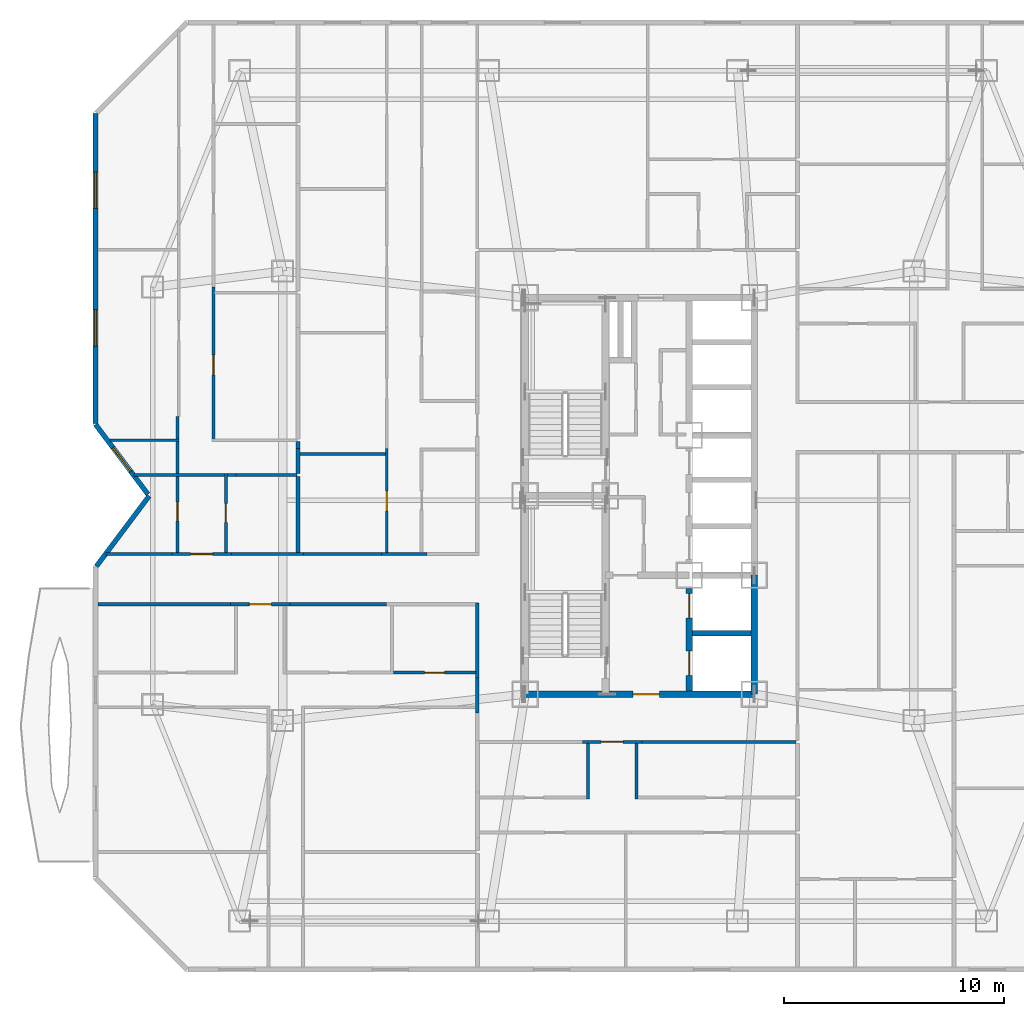
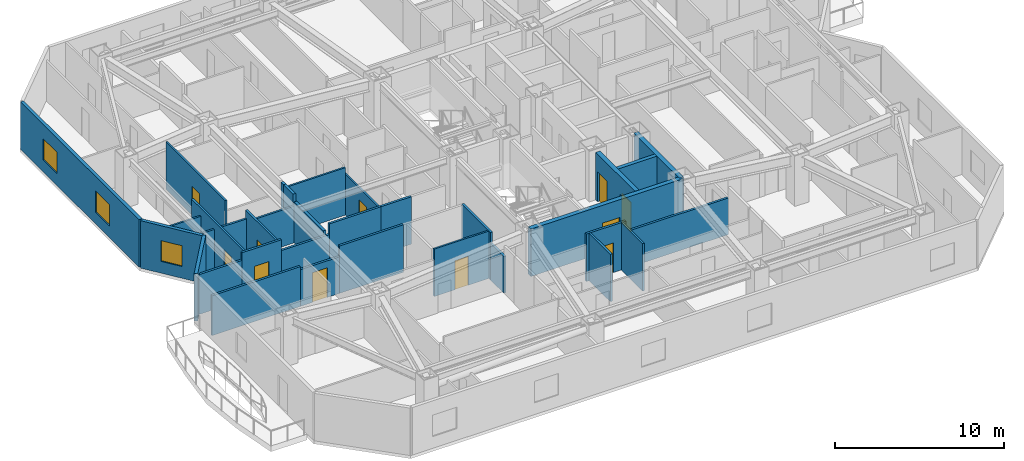
# One storey, part 8 of 15: 33 walls, 11 doors, 3 windows, 14 openings.
"""IFC4 building model written with IfcOpenShell, lengths in metres."""

from ifc_helpers import new_model, si_unit, direction, frame, frame_2d, origin, place, context, subcontext, project, spatial, rectangle, extrude, material, layer, layer_set, type_object, element, fill, save


model = new_model("IFC4")

# Units and contexts
model_context = context("Model", 3, precision=1e-05, world=origin(), true_north=direction((0.0, 1.0)))
body_context = subcontext(model_context, "Body", "Model", "MODEL_VIEW")
ifc_project = project(units=[si_unit("LENGTHUNIT", "METRE"), si_unit("AREAUNIT", "SQUARE_METRE"), si_unit("VOLUMEUNIT", "CUBIC_METRE"), si_unit("PLANEANGLEUNIT", "RADIAN"), si_unit("MASSUNIT", "GRAM", prefix="KILO")], contexts=[model_context])

# Site, building, storey
site_placement = place(None, origin())
site = spatial("IfcSite", under=ifc_project, at=site_placement, CompositionType="ELEMENT")
building_placement = place(site_placement, origin())
building = spatial("IfcBuilding", under=site, at=building_placement, Name="Khamvora Tower", CompositionType="ELEMENT")
storey_placement = place(building_placement, frame((0.0, 0.0, 112.85009765625)))
storey = spatial("IfcBuildingStorey", under=building, at=storey_placement, Name="L28", CompositionType="ELEMENT", Elevation=112.85009765625)

# Wall, opening, door
ifc_material_1 = material(Name="Concrete C50/60", Category="concrete")
ifc_layer_1 = layer(ifc_material_1, 0.300048828125)
ifc_layer_set_1 = layer_set([ifc_layer_1], Name="Concrete C50/60")
wall_type_1 = type_object("IfcWallType", Name="WAL-CORE-300", PredefinedType="SHEAR", material=ifc_layer_set_1)
wall_1_placement = place(storey_placement, frame((29.0, 19.0, 0.0), z_axis=(0.0, 0.0, 1.0), x_axis=(1.0, 0.0, 0.0)))
wall_1 = element("IfcWall", 1, at=wall_1_placement, inside=storey, type_object=wall_type_1, Name="L28 central core south wall", PredefinedType="SHEAR", context=body_context, shape_type="SweptSolid", body=[
    extrude(rectangle(XDim=10.39990234375, YDim=0.300048828125, at=frame_2d((5.199951171875, 0.0))), origin(), (0.0, 0.0, 1.0), 3.429931640625),
])
opening_1_placement = place(wall_1_placement, frame((4.89990234375, 0.0, 0.0)))
opening_1 = element("IfcOpeningElement", 2, at=opening_1_placement, cuts=wall_1, Name="Opening D-CR1", PredefinedType="OPENING", context=body_context, shape_type="SweptSolid", body=[
    extrude(rectangle(XDim=1.199951171875, YDim=2.14990234375, at=frame_2d((0.60009765625, 1.074951171875))), frame((0.0, 0.159912109375, 0.0), z_axis=(0.0, -1.0, 0.0), x_axis=(1.0, 0.0, 0.0)), (0.0, 0.0, 1.0), 0.320068359375),
])
ifc_material_2 = material(Name="Powder-Coated Steel and Hardwood Leaf", Category="steel")
door_type_1 = type_object("IfcDoorType", Name="DOR-CORR-1200", OperationType="NOTDEFINED", PredefinedType="DOOR", material=ifc_material_2)
door_1_placement = place(opening_1_placement, origin())
door_1 = element("IfcDoor", 3, at=door_1_placement, inside=storey, type_object=door_type_1, Name="L28 south core lobby to corridor fire door", OperationType="SINGLE_SWING_RIGHT", OverallHeight=2.14990234375, OverallWidth=1.199951171875, PredefinedType="DOOR", context=body_context, shape_type="SweptSolid", body=[
    extrude(rectangle(XDim=1.199951171875, YDim=2.14990234375, at=frame_2d((0.60009765625, 1.074951171875))), frame((0.0, 0.02490234375, 0.0), z_axis=(0.0, -1.0, 0.0), x_axis=(1.0, 0.0, 0.0)), (0.0, 0.0, 1.0), 0.050048828125),
])
fill(opening_1, door_1)

# Wall
wall_2_placement = place(storey_placement, frame((39.39990234375, 19.0, 0.0), z_axis=(0.0, 0.0, 1.0), x_axis=(0.0, 1.0, 0.0)))
element("IfcWall", 4, at=wall_2_placement, inside=storey, type_object=wall_type_1, Name="L28 central core east south wall", PredefinedType="SHEAR", context=body_context, shape_type="SweptSolid", body=[
    extrude(rectangle(XDim=5.39990234375, YDim=0.300048828125, at=frame_2d((2.699951171875, 0.0))), origin(), (0.0, 0.0, 1.0), 3.429931640625),
])

# Wall, openings, doors
wall_3_placement = place(storey_placement, frame((36.449951171875, 19.154052734375, 0.0), z_axis=(0.0, 0.0, 1.0), x_axis=(0.0, 1.0, 0.0)))
wall_3 = element("IfcWall", 5, at=wall_3_placement, inside=storey, type_object=wall_type_1, Name="L28 central core lift bank south wall", PredefinedType="SHEAR", context=body_context, shape_type="SweptSolid", body=[
    extrude(rectangle(XDim=4.64599609375, YDim=0.300048828125, at=frame_2d((2.322998046875, 0.0))), origin(), (0.0, 0.0, 1.0), 3.429931640625),
])
opening_2_placement = place(wall_3_placement, frame((0.696044921875, 0.0, 0.0)))
opening_2 = element("IfcOpeningElement", 6, at=opening_2_placement, cuts=wall_3, Name="Opening LD-FFL", PredefinedType="OPENING", context=body_context, shape_type="SweptSolid", body=[
    extrude(rectangle(XDim=1.10009765625, YDim=2.14990234375, at=frame_2d((0.550048828125, 1.074951171875))), frame((0.0, 0.159912109375, 0.0), z_axis=(0.0, -1.0, 0.0), x_axis=(1.0, 0.0, 0.0)), (0.0, 0.0, 1.0), 0.320068359375),
])
opening_3_placement = place(wall_3_placement, frame((3.31591796875, 0.0, 0.0)))
opening_3 = element("IfcOpeningElement", 7, at=opening_3_placement, cuts=wall_3, Name="Opening LD-FFL", PredefinedType="OPENING", context=body_context, shape_type="SweptSolid", body=[
    extrude(rectangle(XDim=1.10009765625, YDim=2.14990234375, at=frame_2d((0.550048828125, 1.074951171875))), frame((0.0, 0.159912109375, 0.0), z_axis=(0.0, -1.0, 0.0), x_axis=(1.0, 0.0, 0.0)), (0.0, 0.0, 1.0), 0.320068359375),
])
door_type_2 = type_object("IfcDoorType", Name="DOR-LIFT-1100", OperationType="SLIDING_TO_LEFT", PredefinedType="DOOR", material=ifc_material_2)
door_2_placement = place(opening_2_placement, origin())
door_2 = element("IfcDoor", 8, at=door_2_placement, inside=storey, type_object=door_type_2, Name="L28 lift landing sliding door FFL-01", OperationType="SLIDING_TO_LEFT", OverallHeight=2.14990234375, OverallWidth=1.10009765625, PredefinedType="DOOR", context=body_context, shape_type="SweptSolid", body=[
    extrude(rectangle(XDim=1.10009765625, YDim=2.14990234375, at=frame_2d((0.550048828125, 1.074951171875))), frame((0.0, 0.02490234375, 0.0), z_axis=(0.0, -1.0, 0.0), x_axis=(1.0, 0.0, 0.0)), (0.0, 0.0, 1.0), 0.050048828125),
])
fill(opening_2, door_2)
door_3_placement = place(opening_3_placement, origin())
door_3 = element("IfcDoor", 9, at=door_3_placement, inside=storey, type_object=door_type_2, Name="L28 lift landing sliding door FFL-02", OperationType="SLIDING_TO_LEFT", OverallHeight=2.14990234375, OverallWidth=1.10009765625, PredefinedType="DOOR", context=body_context, shape_type="SweptSolid", body=[
    extrude(rectangle(XDim=1.10009765625, YDim=2.14990234375, at=frame_2d((0.550048828125, 1.074951171875))), frame((0.0, 0.02490234375, 0.0), z_axis=(0.0, -1.0, 0.0), x_axis=(1.0, 0.0, 0.0)), (0.0, 0.0, 1.0), 0.050048828125),
])
fill(opening_3, door_3)

# Walls
ifc_material_3 = material(Name="Fire-Rated Drywall and Steel Stud", Category="steel")
ifc_layer_2 = layer(ifc_material_3, 0.14990234375)
ifc_layer_set_2 = layer_set([ifc_layer_2], Name="Fire-Rated Drywall and Steel Stud")
wall_type_2 = type_object("IfcWallType", Name="WAL-CORR-150", PredefinedType="STANDARD", material=ifc_layer_set_2)
wall_4_placement = place(storey_placement, frame((26.8349609375, 19.73388671875, 0.0), z_axis=(0.0, 0.0, 1.0), x_axis=(0.0, 1.0, 0.0)))
element("IfcWall", 10, at=wall_4_placement, inside=storey, type_object=wall_type_2, Name="L28 interior partition wall 009", PredefinedType="STANDARD", context=body_context, shape_type="SweptSolid", body=[
    extrude(rectangle(XDim=3.416015625, YDim=0.14990234375, at=frame_2d((1.7080078125, 0.0))), origin(), (0.0, 0.0, 1.0), 3.429931640625),
])
wall_5_placement = place(storey_placement, frame((26.8349609375, 18.154052734375, 0.0), z_axis=(0.0, 0.0, 1.0), x_axis=(0.0, 1.0, 0.0)))
element("IfcWall", 11, at=wall_5_placement, inside=storey, type_object=wall_type_2, Name="L28 interior partition wall 011", PredefinedType="STANDARD", context=body_context, shape_type="SweptSolid", body=[
    extrude(rectangle(XDim=1.579833984375, YDim=0.14990234375, at=frame_2d((0.7900390625, 0.0))), origin(), (0.0, 0.0, 1.0), 2.64697265625),
])

# Wall, opening, door
wall_6_placement = place(storey_placement, frame((18.339111328125, 23.0849609375, 0.0), z_axis=(0.0, 0.0, 1.0), x_axis=(-1.0, 0.0, 0.0)))
wall_6 = element("IfcWall", 12, at=wall_6_placement, inside=storey, type_object=wall_type_2, Name="L28 interior partition wall 012", PredefinedType="STANDARD", context=body_context, shape_type="SweptSolid", body=[
    extrude(rectangle(XDim=2.697998046875, YDim=0.14990234375, at=frame_2d((1.34912109375, 0.0))), origin(), (0.0, 0.0, 1.0), 2.64697265625),
])
opening_4_placement = place(wall_6_placement, frame((0.84912109375, 0.0, 0.0)))
opening_4 = element("IfcOpeningElement", 13, at=opening_4_placement, cuts=wall_6, Name="Opening D-U1", PredefinedType="OPENING", context=body_context, shape_type="SweptSolid", body=[
    extrude(rectangle(XDim=1.0, YDim=2.14990234375, at=frame_2d((0.5, 1.074951171875))), frame((0.0, 0.0849609375, 0.0), z_axis=(0.0, -1.0, 0.0), x_axis=(1.0, 0.0, 0.0)), (0.0, 0.0, 1.0), 0.169921875),
])
door_type_3 = type_object("IfcDoorType", Name="DOR-UNIT-1000", OperationType="NOTDEFINED", PredefinedType="DOOR", material=ifc_material_2)
door_4_placement = place(opening_4_placement, origin())
door_4 = element("IfcDoor", 14, at=door_4_placement, inside=storey, type_object=door_type_3, Name="L28 interior door COR-28WAH", OperationType="SINGLE_SWING_RIGHT", OverallHeight=2.14990234375, OverallWidth=1.0, PredefinedType="DOOR", context=body_context, shape_type="SweptSolid", body=[
    extrude(rectangle(XDim=1.0, YDim=2.14990234375, at=frame_2d((0.5, 1.074951171875))), frame((0.0, 0.02490234375, 0.0), z_axis=(0.0, -1.0, 0.0), x_axis=(1.0, 0.0, 0.0)), (0.0, 0.0, 1.0), 0.050048828125),
])
fill(opening_4, door_4)

# Walls
wall_7_placement = place(storey_placement, frame((22.7060546875, 23.0849609375, 0.0), z_axis=(0.0, 0.0, 1.0), x_axis=(-1.0, 0.0, 0.0)))
element("IfcWall", 15, at=wall_7_placement, inside=storey, type_object=wall_type_2, Name="L28 interior partition wall 013", PredefinedType="STANDARD", context=body_context, shape_type="SweptSolid", body=[
    extrude(rectangle(XDim=4.366943359375, YDim=0.14990234375, at=frame_2d((2.18359375, 0.0))), origin(), (0.0, 0.0, 1.0), 3.429931640625),
])
wall_8_placement = place(storey_placement, frame((15.64111328125, 23.0849609375, 0.0), z_axis=(0.0, 0.0, 1.0), x_axis=(-1.0, 0.0, 0.0)))
element("IfcWall", 16, at=wall_8_placement, inside=storey, type_object=wall_type_2, Name="L28 interior partition wall 014", PredefinedType="STANDARD", context=body_context, shape_type="SweptSolid", body=[
    extrude(rectangle(XDim=6.029052734375, YDim=0.14990234375, at=frame_2d((3.0146484375, 0.0))), origin(), (0.0, 0.0, 1.0), 2.8759765625),
])

# Wall, opening, door
wall_9_placement = place(storey_placement, frame((12.97607421875, 25.364990234375, 0.0), z_axis=(0.0, 0.0, 1.0), x_axis=(1.0, 0.0, 0.0)))
wall_9 = element("IfcWall", 17, at=wall_9_placement, inside=storey, type_object=wall_type_2, Name="L28 interior partition wall 016", PredefinedType="STANDARD", context=body_context, shape_type="SweptSolid", body=[
    extrude(rectangle(XDim=2.697998046875, YDim=0.14990234375, at=frame_2d((1.34912109375, 0.0))), origin(), (0.0, 0.0, 1.0), 3.429931640625),
])
opening_5_placement = place(wall_9_placement, frame((0.84912109375, 0.0, 0.0)))
opening_5 = element("IfcOpeningElement", 18, at=opening_5_placement, cuts=wall_9, Name="Opening D-U1", PredefinedType="OPENING", context=body_context, shape_type="SweptSolid", body=[
    extrude(rectangle(XDim=1.0, YDim=2.14990234375, at=frame_2d((0.5, 1.074951171875))), frame((0.0, 0.0849609375, 0.0), z_axis=(0.0, -1.0, 0.0), x_axis=(1.0, 0.0, 0.0)), (0.0, 0.0, 1.0), 0.169921875),
])
door_5_placement = place(opening_5_placement, origin())
door_5 = element("IfcDoor", 19, at=door_5_placement, inside=storey, type_object=door_type_3, Name="L28 interior door COR-28WBH", OperationType="SINGLE_SWING_LEFT", OverallHeight=2.14990234375, OverallWidth=1.0, PredefinedType="DOOR", context=body_context, shape_type="SweptSolid", body=[
    extrude(rectangle(XDim=1.0, YDim=2.14990234375, at=frame_2d((0.5, 1.074951171875))), frame((0.0, 0.02490234375, 0.0), z_axis=(0.0, -1.0, 0.0), x_axis=(1.0, 0.0, 0.0)), (0.0, 0.0, 1.0), 0.050048828125),
])
fill(opening_5, door_5)

# Walls
wall_10_placement = place(storey_placement, frame((9.97412109375, 25.364990234375, 0.0), z_axis=(0.0, 0.0, 1.0), x_axis=(1.0, 0.0, 0.0)))
element("IfcWall", 20, at=wall_10_placement, inside=storey, type_object=wall_type_2, Name="L28 interior partition wall 017", PredefinedType="STANDARD", context=body_context, shape_type="SweptSolid", body=[
    extrude(rectangle(XDim=3.001953125, YDim=0.14990234375, at=frame_2d((1.5009765625, 0.0))), origin(), (0.0, 0.0, 1.0), 2.8759765625),
])
wall_11_placement = place(storey_placement, frame((15.674072265625, 25.364990234375, 0.0), z_axis=(0.0, 0.0, 1.0), x_axis=(1.0, 0.0, 0.0)))
element("IfcWall", 21, at=wall_11_placement, inside=storey, type_object=wall_type_2, Name="L28 interior partition wall 018", PredefinedType="STANDARD", context=body_context, shape_type="SweptSolid", body=[
    extrude(rectangle(XDim=3.280029296875, YDim=0.14990234375, at=frame_2d((1.64013671875, 0.0))), origin(), (0.0, 0.0, 1.0), 2.64697265625),
])
wall_12_placement = place(storey_placement, frame((22.47607421875, 25.364990234375, 0.0), z_axis=(0.0, 0.0, 1.0), x_axis=(1.0, 0.0, 0.0)))
element("IfcWall", 22, at=wall_12_placement, inside=storey, type_object=wall_type_2, Name="L28 interior partition wall 020", PredefinedType="STANDARD", context=body_context, shape_type="SweptSolid", body=[
    extrude(rectangle(XDim=2.077880859375, YDim=0.14990234375, at=frame_2d((1.0390625, 0.0))), origin(), (0.0, 0.0, 1.0), 3.429931640625),
])
wall_13_placement = place(storey_placement, frame((18.9541015625, 25.364990234375, 0.0), z_axis=(0.0, 0.0, 1.0), x_axis=(1.0, 0.0, 0.0)))
element("IfcWall", 23, at=wall_13_placement, inside=storey, type_object=wall_type_2, Name="L28 interior partition wall 025", PredefinedType="STANDARD", context=body_context, shape_type="SweptSolid", body=[
    extrude(rectangle(XDim=3.52197265625, YDim=0.14990234375, at=frame_2d((1.760986328125, 0.0))), origin(), (0.0, 0.0, 1.0), 3.429931640625),
])

# Wall, opening, door
wall_14_placement = place(storey_placement, frame((34.299072265625, 16.8349609375, 0.0), z_axis=(0.0, 0.0, 1.0), x_axis=(-1.0, 0.0, 0.0)))
wall_14 = element("IfcWall", 24, at=wall_14_placement, inside=storey, type_object=wall_type_2, Name="L28 interior partition wall 026", PredefinedType="STANDARD", context=body_context, shape_type="SweptSolid", body=[
    extrude(rectangle(XDim=2.697998046875, YDim=0.14990234375, at=frame_2d((1.34912109375, 0.0))), origin(), (0.0, 0.0, 1.0), 3.429931640625),
])
opening_6_placement = place(wall_14_placement, frame((0.84912109375, 0.0, 0.0)))
opening_6 = element("IfcOpeningElement", 25, at=opening_6_placement, cuts=wall_14, Name="Opening D-U1", PredefinedType="OPENING", context=body_context, shape_type="SweptSolid", body=[
    extrude(rectangle(XDim=1.0, YDim=2.14990234375, at=frame_2d((0.5, 1.074951171875))), frame((0.0, 0.0849609375, 0.0), z_axis=(0.0, -1.0, 0.0), x_axis=(1.0, 0.0, 0.0)), (0.0, 0.0, 1.0), 0.169921875),
])
door_6_placement = place(opening_6_placement, origin())
door_6 = element("IfcDoor", 26, at=door_6_placement, inside=storey, type_object=door_type_3, Name="L28 interior door COR-28SAH", OperationType="SINGLE_SWING_LEFT", OverallHeight=2.14990234375, OverallWidth=1.0, PredefinedType="DOOR", context=body_context, shape_type="SweptSolid", body=[
    extrude(rectangle(XDim=1.0, YDim=2.14990234375, at=frame_2d((0.5, 1.074951171875))), frame((0.0, 0.02490234375, 0.0), z_axis=(0.0, -1.0, 0.0), x_axis=(1.0, 0.0, 0.0)), (0.0, 0.0, 1.0), 0.050048828125),
])
fill(opening_6, door_6)

# Walls
wall_15_placement = place(storey_placement, frame((41.300048828125, 16.8349609375, 0.0), z_axis=(0.0, 0.0, 1.0), x_axis=(-1.0, 0.0, 0.0)))
element("IfcWall", 27, at=wall_15_placement, inside=storey, type_object=wall_type_2, Name="L28 interior partition wall 028", PredefinedType="STANDARD", context=body_context, shape_type="SweptSolid", body=[
    extrude(rectangle(XDim=7.0009765625, YDim=0.14990234375, at=frame_2d((3.50048828125, 0.0))), origin(), (0.0, 0.0, 1.0), 2.64697265625),
])
ifc_material_4 = material(Name="Acoustic Double-Stud Fire Wall", Category="gypsum")
ifc_layer_3 = layer(ifc_material_4, 0.179931640625)
ifc_layer_set_3 = layer_set([ifc_layer_3], Name="Acoustic Double-Stud Fire Wall")
wall_type_3 = type_object("IfcWallType", Name="WAL-CORR-180", PredefinedType="STANDARD", material=ifc_layer_set_3)
wall_16_placement = place(storey_placement, frame((18.705078125, 30.15087890625, 0.0), z_axis=(0.0, 0.0, 1.0), x_axis=(0.0, -1.0, 0.0)))
element("IfcWall", 28, at=wall_16_placement, inside=storey, type_object=wall_type_3, Name="L28 interior partition wall 077", PredefinedType="STANDARD", context=body_context, shape_type="SweptSolid", body=[
    extrude(rectangle(XDim=1.140869140625, YDim=0.179931640625, at=frame_2d((0.5703125, 0.0))), origin(), (0.0, 0.0, 1.0), 3.429931640625),
])
wall_17_placement = place(storey_placement, frame((18.705078125, 30.4599609375, 0.0), z_axis=(0.0, 0.0, 1.0), x_axis=(0.0, -1.0, 0.0)))
element("IfcWall", 29, at=wall_17_placement, inside=storey, type_object=wall_type_3, Name="L28 interior partition wall 078", PredefinedType="STANDARD", context=body_context, shape_type="SweptSolid", body=[
    extrude(rectangle(XDim=0.30908203125, YDim=0.179931640625, at=frame_2d((0.154541015625, 0.0))), origin(), (0.0, 0.0, 1.0), 3.429931640625),
])
wall_18_placement = place(storey_placement, frame((18.705078125, 28.8798828125, 0.0), z_axis=(0.0, 0.0, 1.0), x_axis=(0.0, -1.0, 0.0)))
element("IfcWall", 30, at=wall_18_placement, inside=storey, type_object=wall_type_3, Name="L28 interior partition wall 079", PredefinedType="STANDARD", context=body_context, shape_type="SweptSolid", body=[
    extrude(rectangle(XDim=3.449951171875, YDim=0.179931640625, at=frame_2d((1.72509765625, 0.0))), origin(), (0.0, 0.0, 1.0), 2.956787109375),
])
ifc_material_5 = material(Name="Precast concrete C40/50", Category="concrete")
ifc_layer_4 = layer(ifc_material_5, 0.219970703125)
ifc_layer_set_4 = layer_set([ifc_layer_4], Name="Precast concrete C40/50")
wall_type_4 = type_object("IfcWallType", Name="WAL-EXT-220", PredefinedType="STANDARD", material=ifc_layer_set_4)
wall_19_placement = place(storey_placement, frame((9.5439453125, 24.80810546875, 0.0), z_axis=(0.0, 0.0, 1.0), x_axis=(0.600019580308, 0.799985314394, 0.0)))
element("IfcWall", 31, at=wall_19_placement, inside=storey, type_object=wall_type_4, Name="L28 exterior facade wall 03.1", PredefinedType="STANDARD", context=body_context, shape_type="SweptSolid", body=[
    extrude(rectangle(XDim=3.989990234375, YDim=0.219970703125, at=frame_2d((1.9951171875, 0.0))), origin(), (0.0, 0.0, 1.0), 3.429931640625),
])

# Wall, opening, window
wall_20_placement = place(storey_placement, frame((11.881103515625, 28.076904296875, 0.0), z_axis=(0.0, 0.0, 1.0), x_axis=(-0.600158184825, 0.799881336942, 0.0)))
wall_20 = element("IfcWall", 32, at=wall_20_placement, inside=storey, type_object=wall_type_4, Name="L28 exterior facade wall 04.1", PredefinedType="STANDARD", context=body_context, shape_type="SweptSolid", body=[
    extrude(rectangle(XDim=3.95068359375, YDim=0.219970703125, at=frame_2d((1.975341796875, 0.0))), origin(), (0.0, 0.0, 1.0), 3.429931640625),
])
opening_7_placement = place(wall_20_placement, frame((1.291015625, 0.0, 0.85009765625)))
opening_7 = element("IfcOpeningElement", 33, at=opening_7_placement, cuts=wall_20, Name="Opening WN-07", PredefinedType="OPENING", context=body_context, shape_type="SweptSolid", body=[
    extrude(rectangle(XDim=1.35009765625, YDim=1.5, at=frame_2d((0.675048828125, 0.75))), frame((0.0, 0.119873046875, 0.0), z_axis=(0.0, -1.0, 0.0), x_axis=(1.0, 0.0, 0.0)), (0.0, 0.0, 1.0), 0.239990234375),
])
ifc_material_6 = material(Name="Low-E Laminated Double Glazing", Category="glass")
window_type_1 = type_object("IfcWindowType", Name="WIN-VIS-1350x1500", PartitioningType="SINGLE_PANEL", PredefinedType="WINDOW", material=ifc_material_6)
window_1_placement = place(opening_7_placement, origin())
window_1 = element("IfcWindow", 34, at=window_1_placement, inside=storey, type_object=window_type_1, Name="L28 vision window 04.1.01", OverallHeight=1.5, OverallWidth=1.35009765625, PartitioningType="SINGLE_PANEL", PredefinedType="WINDOW", context=body_context, shape_type="SweptSolid", body=[
    extrude(rectangle(XDim=1.35009765625, YDim=1.5, at=frame_2d((0.675048828125, 0.75))), frame((0.0, 0.030029296875, 0.0), z_axis=(0.0, -1.0, 0.0), x_axis=(1.0, 0.0, 0.0)), (0.0, 0.0, 1.0), 0.06005859375),
])
fill(opening_7, window_1)

# Wall, openings, windows
wall_21_placement = place(storey_placement, frame((9.510009765625, 31.29296875, 0.0), z_axis=(0.0, 0.0, 1.0), x_axis=(0.0, 1.0, 0.0)))
wall_21 = element("IfcWall", 35, at=wall_21_placement, inside=storey, type_object=wall_type_4, Name="L28 exterior facade wall 05.1", PredefinedType="STANDARD", context=body_context, shape_type="SweptSolid", body=[
    extrude(rectangle(XDim=14.06103515625, YDim=0.219970703125, at=frame_2d((7.030517578125, 0.0))), origin(), (0.0, 0.0, 1.0), 3.429931640625),
])
opening_8_placement = place(wall_21_placement, frame((3.508056640625, 0.0, 0.85009765625)))
opening_8 = element("IfcOpeningElement", 36, at=opening_8_placement, cuts=wall_21, Name="Opening WN-06", PredefinedType="OPENING", context=body_context, shape_type="SweptSolid", body=[
    extrude(rectangle(XDim=1.64990234375, YDim=1.550048828125, at=frame_2d((0.824951171875, 0.77490234375))), frame((0.0, 0.119873046875, 0.0), z_axis=(0.0, -1.0, 0.0), x_axis=(1.0, 0.0, 0.0)), (0.0, 0.0, 1.0), 0.239990234375),
])
opening_9_placement = place(wall_21_placement, frame((9.7529296875, 0.0, 0.85009765625)))
opening_9 = element("IfcOpeningElement", 37, at=opening_9_placement, cuts=wall_21, Name="Opening WN-06", PredefinedType="OPENING", context=body_context, shape_type="SweptSolid", body=[
    extrude(rectangle(XDim=1.64990234375, YDim=1.550048828125, at=frame_2d((0.824951171875, 0.77490234375))), frame((0.0, 0.119873046875, 0.0), z_axis=(0.0, -1.0, 0.0), x_axis=(1.0, 0.0, 0.0)), (0.0, 0.0, 1.0), 0.239990234375),
])
window_type_2 = type_object("IfcWindowType", Name="WIN-VIS-1650x1550", PartitioningType="SINGLE_PANEL", PredefinedType="WINDOW", material=ifc_material_6)
window_2_placement = place(opening_8_placement, origin())
window_2 = element("IfcWindow", 38, at=window_2_placement, inside=storey, type_object=window_type_2, Name="L28 vision window 05.1.01", OverallHeight=1.550048828125, OverallWidth=1.64990234375, PartitioningType="SINGLE_PANEL", PredefinedType="WINDOW", context=body_context, shape_type="SweptSolid", body=[
    extrude(rectangle(XDim=1.64990234375, YDim=1.550048828125, at=frame_2d((0.824951171875, 0.77490234375))), frame((0.0, 0.030029296875, 0.0), z_axis=(0.0, -1.0, 0.0), x_axis=(1.0, 0.0, 0.0)), (0.0, 0.0, 1.0), 0.06005859375),
])
fill(opening_8, window_2)
window_3_placement = place(opening_9_placement, origin())
window_3 = element("IfcWindow", 39, at=window_3_placement, inside=storey, type_object=window_type_2, Name="L28 vision window 05.1.02", OverallHeight=1.550048828125, OverallWidth=1.64990234375, PartitioningType="SINGLE_PANEL", PredefinedType="WINDOW", context=body_context, shape_type="SweptSolid", body=[
    extrude(rectangle(XDim=1.64990234375, YDim=1.550048828125, at=frame_2d((0.824951171875, 0.77490234375))), frame((0.0, 0.030029296875, 0.0), z_axis=(0.0, -1.0, 0.0), x_axis=(1.0, 0.0, 0.0)), (0.0, 0.0, 1.0), 0.06005859375),
])
fill(opening_9, window_3)

# Wall, opening, door
ifc_material_7 = material(Name="Gypsum Plasterboard Partition", Category="gypsum")
ifc_layer_5 = layer(ifc_material_7, 0.1201171875)
ifc_layer_set_5 = layer_set([ifc_layer_5], Name="Gypsum Plasterboard Partition")
wall_type_5 = type_object("IfcWallType", Name="WAL-PART-120", PredefinedType="PARTITIONING", material=ifc_layer_set_5)
wall_22_placement = place(storey_placement, frame((26.77001953125, 19.98291015625, 0.0), z_axis=(0.0, 0.0, 1.0), x_axis=(-1.0, 0.0, 0.0)))
wall_22 = element("IfcWall", 40, at=wall_22_placement, inside=storey, type_object=wall_type_5, Name="L28 interior partition wall 048", PredefinedType="PARTITIONING", context=body_context, shape_type="SweptSolid", body=[
    extrude(rectangle(XDim=3.75, YDim=0.1201171875, at=frame_2d((1.875, 0.0))), origin(), (0.0, 0.0, 1.0), 3.429931640625),
])
opening_10_placement = place(wall_22_placement, frame((1.425048828125, 0.0, 0.0)))
opening_10 = element("IfcOpeningElement", 41, at=opening_10_placement, cuts=wall_22, Name="Opening D-RM1", PredefinedType="OPENING", context=body_context, shape_type="SweptSolid", body=[
    extrude(rectangle(XDim=0.89990234375, YDim=2.10009765625, at=frame_2d((0.449951171875, 1.050048828125))), frame((0.0, 0.070068359375, 0.0), z_axis=(0.0, -1.0, 0.0), x_axis=(1.0, 0.0, 0.0)), (0.0, 0.0, 1.0), 0.14013671875),
])
door_type_4 = type_object("IfcDoorType", Name="DOR-ROOM-900", OperationType="NOTDEFINED", PredefinedType="DOOR", material=ifc_material_2)
door_7_placement = place(opening_10_placement, origin())
door_7 = element("IfcDoor", 42, at=door_7_placement, inside=storey, type_object=door_type_4, Name="L28 interior door 28WAW2-28WAH", OperationType="SINGLE_SWING_RIGHT", OverallHeight=2.10009765625, OverallWidth=0.89990234375, PredefinedType="DOOR", context=body_context, shape_type="SweptSolid", body=[
    extrude(rectangle(XDim=0.89990234375, YDim=2.10009765625, at=frame_2d((0.449951171875, 1.050048828125))), frame((0.0, 0.02490234375, 0.0), z_axis=(0.0, -1.0, 0.0), x_axis=(1.0, 0.0, 0.0)), (0.0, 0.0, 1.0), 0.050048828125),
])
fill(opening_10, door_7)

# Wall
wall_23_placement = place(storey_placement, frame((10.156005859375, 30.52490234375, 0.0), z_axis=(0.0, 0.0, 1.0), x_axis=(1.0, 0.0, 0.0)))
element("IfcWall", 43, at=wall_23_placement, inside=storey, type_object=wall_type_5, Name="L28 interior partition wall 071", PredefinedType="PARTITIONING", context=body_context, shape_type="SweptSolid", body=[
    extrude(rectangle(XDim=3.134033203125, YDim=0.1201171875, at=frame_2d((1.56689453125, 0.0))), origin(), (0.0, 0.0, 1.0), 2.8759765625),
])

# Wall, opening, door
wall_24_placement = place(storey_placement, frame((14.860107421875, 37.47705078125, 0.0), z_axis=(0.0, 0.0, 1.0), x_axis=(0.0, -1.0, 0.0)))
wall_24 = element("IfcWall", 44, at=wall_24_placement, inside=storey, type_object=wall_type_5, Name="L28 interior partition wall 073", PredefinedType="PARTITIONING", context=body_context, shape_type="SweptSolid", body=[
    extrude(rectangle(XDim=7.01708984375, YDim=0.1201171875, at=frame_2d((3.508544921875, 0.0))), origin(), (0.0, 0.0, 1.0), 3.429931640625),
])
opening_11_placement = place(wall_24_placement, frame((3.0791015625, 0.0, 0.0)))
opening_11 = element("IfcOpeningElement", 45, at=opening_11_placement, cuts=wall_24, Name="Opening D-RM1", PredefinedType="OPENING", context=body_context, shape_type="SweptSolid", body=[
    extrude(rectangle(XDim=0.89990234375, YDim=2.10009765625, at=frame_2d((0.449951171875, 1.050048828125))), frame((0.0, 0.070068359375, 0.0), z_axis=(0.0, -1.0, 0.0), x_axis=(1.0, 0.0, 0.0)), (0.0, 0.0, 1.0), 0.14013671875),
])
door_8_placement = place(opening_11_placement, origin())
door_8 = element("IfcDoor", 46, at=door_8_placement, inside=storey, type_object=door_type_4, Name="L28 interior door 28WBH-28WBR3", OperationType="SINGLE_SWING_LEFT", OverallHeight=2.10009765625, OverallWidth=0.89990234375, PredefinedType="DOOR", context=body_context, shape_type="SweptSolid", body=[
    extrude(rectangle(XDim=0.89990234375, YDim=2.10009765625, at=frame_2d((0.449951171875, 1.050048828125))), frame((0.0, 0.02490234375, 0.0), z_axis=(0.0, -1.0, 0.0), x_axis=(1.0, 0.0, 0.0)), (0.0, 0.0, 1.0), 0.050048828125),
])
fill(opening_11, door_8)

wall_25_placement = place(storey_placement, frame((22.72509765625, 25.429931640625, 0.0), z_axis=(0.0, 0.0, 1.0), x_axis=(0.0, 1.0, 0.0)))
wall_25 = element("IfcWall", 47, at=wall_25_placement, inside=storey, type_object=wall_type_5, Name="L28 interior partition wall 094", PredefinedType="PARTITIONING", context=body_context, shape_type="SweptSolid", body=[
    extrude(rectangle(XDim=4.720947265625, YDim=0.1201171875, at=frame_2d((2.3603515625, 0.0))), origin(), (0.0, 0.0, 1.0), 2.956787109375),
])
opening_12_placement = place(wall_25_placement, frame((1.889892578125, 0.0, 0.0)))
opening_12 = element("IfcOpeningElement", 48, at=opening_12_placement, cuts=wall_25, Name="Opening D-RM1", PredefinedType="OPENING", context=body_context, shape_type="SweptSolid", body=[
    extrude(rectangle(XDim=0.89990234375, YDim=2.10009765625, at=frame_2d((0.449951171875, 1.050048828125))), frame((0.0, 0.070068359375, 0.0), z_axis=(0.0, -1.0, 0.0), x_axis=(1.0, 0.0, 0.0)), (0.0, 0.0, 1.0), 0.14013671875),
])
door_9_placement = place(opening_12_placement, origin())
door_9 = element("IfcDoor", 49, at=door_9_placement, inside=storey, type_object=door_type_4, Name="L28 interior door 28WCH-28WCL", OperationType="SINGLE_SWING_LEFT", OverallHeight=2.10009765625, OverallWidth=0.89990234375, PredefinedType="DOOR", context=body_context, shape_type="SweptSolid", body=[
    extrude(rectangle(XDim=0.89990234375, YDim=2.10009765625, at=frame_2d((0.449951171875, 1.050048828125))), frame((0.0, 0.02490234375, 0.0), z_axis=(0.0, -1.0, 0.0), x_axis=(1.0, 0.0, 0.0)), (0.0, 0.0, 1.0), 0.050048828125),
])
fill(opening_12, door_9)

# Walls
wall_26_placement = place(storey_placement, frame((18.787109375, 29.902099609375, 0.0), z_axis=(0.0, 0.0, 1.0), x_axis=(1.0, 0.0, 0.0)))
element("IfcWall", 50, at=wall_26_placement, inside=storey, type_object=wall_type_5, Name="L28 interior partition wall 098", PredefinedType="PARTITIONING", context=body_context, shape_type="SweptSolid", body=[
    extrude(rectangle(XDim=3.8837890625, YDim=0.1201171875, at=frame_2d((1.94189453125, 0.0))), origin(), (0.0, 0.0, 1.0), 3.429931640625),
])
ifc_material_8 = material(Name="Concrete C40/50", Category="concrete")
ifc_layer_6 = layer(ifc_material_8, 0.25)
ifc_layer_set_6 = layer_set([ifc_layer_6], Name="Concrete C40/50")
wall_type_6 = type_object("IfcWallType", Name="WAL-PODS-250", PredefinedType="SHEAR", material=ifc_layer_set_6)
wall_27_placement = place(storey_placement, frame((36.60400390625, 21.77490234375, 0.0), z_axis=(0.0, 0.0, 1.0), x_axis=(1.0, 0.0, 0.0)))
element("IfcWall", 51, at=wall_27_placement, inside=storey, type_object=wall_type_6, Name="L28 lift shaft divider wall FFL-01", PredefinedType="SHEAR", context=body_context, shape_type="SweptSolid", body=[
    extrude(rectangle(XDim=2.64208984375, YDim=0.25, at=frame_2d((1.321044921875, 0.0))), origin(), (0.0, 0.0, 1.0), 3.429931640625),
])

# Wall, opening, door
ifc_material_9 = material(Name="Moisture-Resistant Plasterboard Partition", Category="gypsum")
ifc_layer_7 = layer(ifc_material_9, 0.135009765625)
ifc_layer_set_7 = layer_set([ifc_layer_7], Name="Moisture-Resistant Plasterboard Partition")
wall_type_7 = type_object("IfcWallType", Name="WAL-WET-135", PredefinedType="PARTITIONING", material=ifc_layer_set_7)
wall_28_placement = place(storey_placement, frame((13.22509765625, 25.429931640625, 0.0), z_axis=(0.0, 0.0, 1.0), x_axis=(0.0, 1.0, 0.0)))
wall_28 = element("IfcWall", 52, at=wall_28_placement, inside=storey, type_object=wall_type_7, Name="L28 interior partition wall 066", PredefinedType="PARTITIONING", context=body_context, shape_type="SweptSolid", body=[
    extrude(rectangle(XDim=6.18017578125, YDim=0.135009765625, at=frame_2d((3.090087890625, 0.0))), origin(), (0.0, 0.0, 1.0), 3.429931640625),
])
opening_13_placement = place(wall_28_placement, frame((1.43603515625, 0.0, 0.0)))
opening_13 = element("IfcOpeningElement", 53, at=opening_13_placement, cuts=wall_28, Name="Opening D-WC1", PredefinedType="OPENING", context=body_context, shape_type="SweptSolid", body=[
    extrude(rectangle(XDim=0.85009765625, YDim=2.10009765625, at=frame_2d((0.425048828125, 1.050048828125))), frame((0.0, 0.077392578125, 0.0), z_axis=(0.0, -1.0, 0.0), x_axis=(1.0, 0.0, 0.0)), (0.0, 0.0, 1.0), 0.155029296875),
])
door_type_5 = type_object("IfcDoorType", Name="DOR-WET-850", OperationType="NOTDEFINED", PredefinedType="DOOR", material=ifc_material_2)
door_10_placement = place(opening_13_placement, origin())
door_10 = element("IfcDoor", 54, at=door_10_placement, inside=storey, type_object=door_type_5, Name="L28 interior door 28WBH-28WBB", OperationType="SINGLE_SWING_LEFT", OverallHeight=2.10009765625, OverallWidth=0.85009765625, PredefinedType="DOOR", context=body_context, shape_type="SweptSolid", body=[
    extrude(rectangle(XDim=0.85009765625, YDim=2.10009765625, at=frame_2d((0.425048828125, 1.050048828125))), frame((0.0, 0.02490234375, 0.0), z_axis=(0.0, -1.0, 0.0), x_axis=(1.0, 0.0, 0.0)), (0.0, 0.0, 1.0), 0.050048828125),
])
fill(opening_13, door_10)

# Walls
wall_29_placement = place(storey_placement, frame((15.889892578125, 28.945068359375, 0.0), z_axis=(0.0, 0.0, 1.0), x_axis=(-1.0, 0.0, 0.0)))
element("IfcWall", 55, at=wall_29_placement, inside=storey, type_object=wall_type_7, Name="L28 interior partition wall 067", PredefinedType="PARTITIONING", context=body_context, shape_type="SweptSolid", body=[
    extrude(rectangle(XDim=4.64794921875, YDim=0.135009765625, at=frame_2d((2.323974609375, 0.0))), origin(), (0.0, 0.0, 1.0), 2.8759765625),
])
wall_30_placement = place(storey_placement, frame((18.639892578125, 28.945068359375, 0.0), z_axis=(0.0, 0.0, 1.0), x_axis=(-1.0, 0.0, 0.0)))
element("IfcWall", 56, at=wall_30_placement, inside=storey, type_object=wall_type_7, Name="L28 interior partition wall 068", PredefinedType="PARTITIONING", context=body_context, shape_type="SweptSolid", body=[
    extrude(rectangle(XDim=2.75, YDim=0.135009765625, at=frame_2d((1.375, 0.0))), origin(), (0.0, 0.0, 1.0), 2.64697265625),
])

# Wall, opening, door
wall_31_placement = place(storey_placement, frame((15.425048828125, 29.010009765625, 0.0), z_axis=(0.0, 0.0, 1.0), x_axis=(0.0, -1.0, 0.0)))
wall_31 = element("IfcWall", 57, at=wall_31_placement, inside=storey, type_object=wall_type_7, Name="L28 interior partition wall 069", PredefinedType="PARTITIONING", context=body_context, shape_type="SweptSolid", body=[
    extrude(rectangle(XDim=3.580078125, YDim=0.135009765625, at=frame_2d((1.7900390625, 0.0))), origin(), (0.0, 0.0, 1.0), 3.429931640625),
])
opening_14_placement = place(wall_31_placement, frame((1.364990234375, 0.0, 0.0)))
opening_14 = element("IfcOpeningElement", 58, at=opening_14_placement, cuts=wall_31, Name="Opening D-RM2", PredefinedType="OPENING", context=body_context, shape_type="SweptSolid", body=[
    extrude(rectangle(XDim=0.85009765625, YDim=2.10009765625, at=frame_2d((0.425048828125, 1.050048828125))), frame((0.0, 0.077392578125, 0.0), z_axis=(0.0, -1.0, 0.0), x_axis=(1.0, 0.0, 0.0)), (0.0, 0.0, 1.0), 0.155029296875),
])
door_type_6 = type_object("IfcDoorType", Name="DOR-ROOM-850", OperationType="NOTDEFINED", PredefinedType="DOOR", material=ifc_material_2)
door_11_placement = place(opening_14_placement, origin())
door_11 = element("IfcDoor", 59, at=door_11_placement, inside=storey, type_object=door_type_6, Name="L28 interior door 28WBH-28WBK", OperationType="SINGLE_SWING_RIGHT", OverallHeight=2.10009765625, OverallWidth=0.85009765625, PredefinedType="DOOR", context=body_context, shape_type="SweptSolid", body=[
    extrude(rectangle(XDim=0.85009765625, YDim=2.10009765625, at=frame_2d((0.425048828125, 1.050048828125))), frame((0.0, 0.02490234375, 0.0), z_axis=(0.0, -1.0, 0.0), x_axis=(1.0, 0.0, 0.0)), (0.0, 0.0, 1.0), 0.050048828125),
])
fill(opening_14, door_11)

# Walls
for number, where, z_axis, x_axis, name in (
    (60, (31.85009765625, 14.239990234375, 0.0), (0.0, 0.0, 1.0), (0.0, 1.0, 0.0), "L28 interior partition wall 102"),
    (61, (34.050048828125, 16.77001953125, 0.0), (0.0, 0.0, 1.0), (0.0, -1.0, 0.0), "L28 interior partition wall 103"),
):
    element("IfcWall", number, at=place(storey_placement, frame(where, z_axis=z_axis, x_axis=x_axis)), inside=storey, type_object=wall_type_7, Name=name, PredefinedType="PARTITIONING", context=body_context, shape_type="SweptSolid", body=[
        extrude(rectangle(XDim=2.530029296875, YDim=0.135009765625, at=frame_2d((1.26513671875, 0.0))), origin(), (0.0, 0.0, 1.0), 3.429931640625),
    ])

save(model, "model.ifc")
